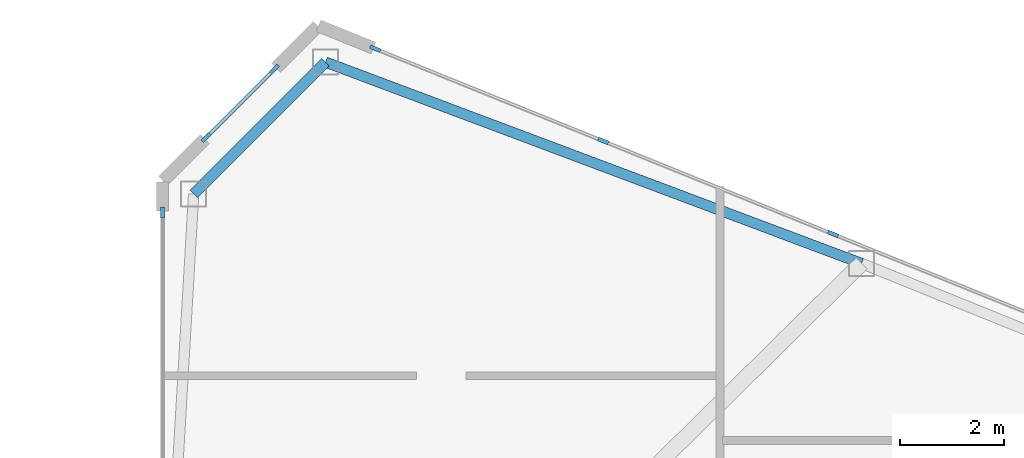
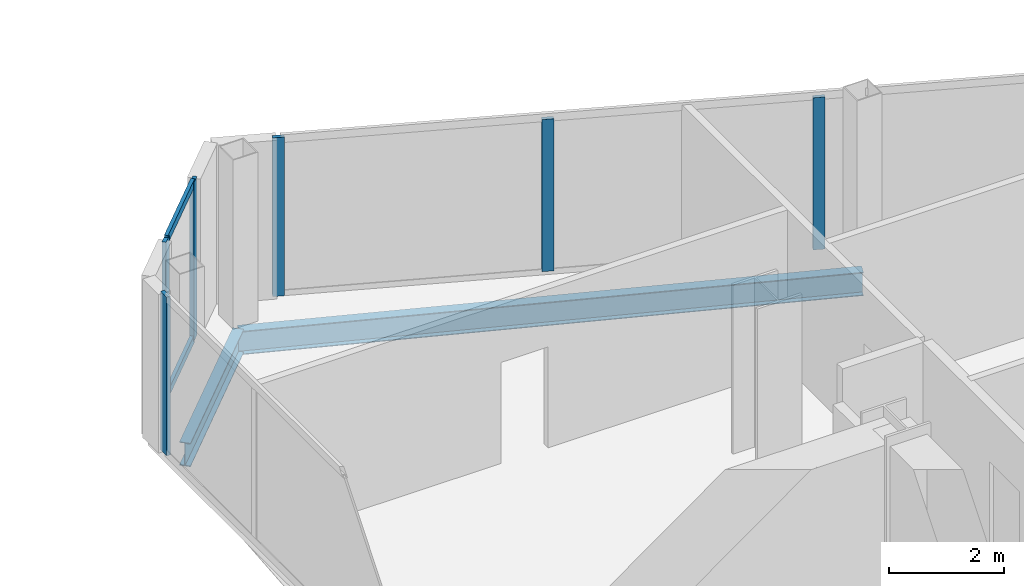
# One storey, part 13 of 25: 8 members, 2 beams, 3 elements without a shape of their own.
"""IFC4 building model written with IfcOpenShell, lengths in metres."""

from ifc_helpers import new_model, si_unit, direction, frame, origin, origin_2d, place, context, subcontext, project, spatial, rectangle, i_section, extrude, source, transform, mapped, material, layer, layer_set, material_profile, profile_set, type_object, type_shapes, element, aggregate, save


model = new_model("IFC4")

# Units and contexts
model_context = context("Model", 3, precision=1e-05, world=origin(), true_north=direction((0.0, 1.0)))
body_context = subcontext(model_context, "Body", "Model", "MODEL_VIEW")
ifc_project = project(units=[si_unit("LENGTHUNIT", "METRE"), si_unit("AREAUNIT", "SQUARE_METRE"), si_unit("VOLUMEUNIT", "CUBIC_METRE"), si_unit("PLANEANGLEUNIT", "RADIAN"), si_unit("MASSUNIT", "GRAM", prefix="KILO")], contexts=[model_context])

# Site, building, storey
site_placement = place(None, origin())
site = spatial("IfcSite", under=ifc_project, at=site_placement, CompositionType="ELEMENT")
building_placement = place(site_placement, origin())
building = spatial("IfcBuilding", under=site, at=building_placement, Name="Seokmaru Belvedere", CompositionType="ELEMENT")
storey_placement = place(building_placement, frame((0.0, 0.0, 54.89990234375)))
storey = spatial("IfcBuildingStorey", under=building, at=storey_placement, Name="L14", CompositionType="ELEMENT", Elevation=54.89990234375)

# Beams
ifc_material_1 = material(Name="Steel SM355 (355 MPa)", Category="steel")
ifc_material_profile_1 = material_profile(ifc_material_1, i_section(OverallWidth=0.199951171875, OverallDepth=0.5, WebThickness=0.010009765625, FlangeThickness=0.01611328125, at=origin_2d()), Name="H-500x200x10x16")
ifc_profile_set_1 = profile_set([ifc_material_profile_1], Name="Steel SM355 (355 MPa)")
beam_type = type_object("IfcBeamType", Name="Perimeter Spandrel Beam H-500", PredefinedType="SPANDREL", material=ifc_profile_set_1)
shared_shape_1 = source(origin(), body_context, "Body", "SweptSolid", [
    extrude(i_section(OverallWidth=0.199951171875, OverallDepth=0.5, WebThickness=0.010009765625, FlangeThickness=0.01611328125, at=origin_2d()), origin(), (0.0, 0.0, 1.0), 11.03857421875),
])
beam_1_placement = place(storey_placement, frame((30.643310546875, 26.294677734375, -0.469970703125), z_axis=(0.936169110734, -0.351549990907, 0.0), x_axis=(0.351549990907, 0.936169110734, 0.0)))
element("IfcBeam", 1, at=beam_1_placement, inside=storey, type_object=beam_type, Name="L14 E Faceted Flank Spandrel N-1", PredefinedType="SPANDREL", context=body_context, shape_type="MappedRepresentation", body=[
    mapped(shared_shape_1, transform((0.0, 0.0, 0.0), scale=1.0)),
])
shared_shape_2 = source(origin(), body_context, "Body", "SweptSolid", [
    extrude(i_section(OverallWidth=0.199951171875, OverallDepth=0.5, WebThickness=0.010009765625, FlangeThickness=0.01611328125, at=origin_2d()), origin(), (0.0, 0.0, 1.0), 3.5966796875),
])
type_shapes(beam_type, [shared_shape_1, shared_shape_2])
beam_2_placement = place(storey_placement, frame((30.643310546875, 26.294677734375, -0.469970703125), z_axis=(-0.707106781187, -0.707106781187, 0.0), x_axis=(0.707106781187, -0.707106781187, 0.0)))
element("IfcBeam", 2, at=beam_2_placement, inside=storey, type_object=beam_type, Name="L14 E Shoulder Chamfer Spandrel N", PredefinedType="SPANDREL", context=body_context, shape_type="MappedRepresentation", body=[
    mapped(shared_shape_2, transform((0.0, 0.0, 0.0), scale=1.0)),
])

# Curtain wall, member
ifc_material_2 = material(Name="Bronze Triple Insulating Glass", Category="glass")
ifc_layer = layer(ifc_material_2, 0.2099609375)
ifc_layer_set = layer_set([ifc_layer], Name="Bronze Triple Insulating Glass")
curtain_wall_type = type_object("IfcCurtainWallType", Name="Low-Rise Faceted Crystal Curtain Wall System CW-2", PredefinedType="NOTDEFINED", material=ifc_layer_set)
curtain_wall_1_placement = place(storey_placement, origin())
curtain_wall_1 = element("IfcCurtainWall", 3, at=curtain_wall_1_placement, inside=storey, type_object=curtain_wall_type, Name="L14 Curtain Wall EF3", PredefinedType="NOTDEFINED")
ifc_material_3 = material(Name="Anodised Bronze Aluminium", Category="aluminium")
ifc_material_profile_2 = material_profile(ifc_material_3, rectangle(XDim=0.074951171875, YDim=0.2099609375, at=origin_2d()), Name="CW-M-75x210")
ifc_profile_set_2 = profile_set([ifc_material_profile_2], Name="Anodised Bronze Aluminium")
member_type_1 = type_object("IfcMemberType", Name="Bronze Unitised Mullion 75x210", PredefinedType="MULLION", material=ifc_profile_set_2)
shared_shape_3 = source(origin(), body_context, "Body", "SweptSolid", [
    extrude(rectangle(XDim=0.074951171875, YDim=0.2099609375, at=origin_2d()), origin(), (0.0, 0.0, 1.0), 3.380126953125),
])
member_1_placement = place(storey_placement, frame((31.600830078125, 26.554443359375, 0.0), z_axis=(0.0, 0.0, 1.0), x_axis=(-0.375192321888, -0.926946989637, 0.0)))
member_1 = element("IfcMember", 4, at=member_1_placement, type_object=member_type_1, Name="CW:L14:EF3 Mullion 10", PredefinedType="MULLION", context=body_context, shape_type="MappedRepresentation", body=[
    mapped(shared_shape_3, transform((0.0, 0.0, 0.0), scale=1.0)),
])

# Curtain wall, members
curtain_wall_2_placement = place(storey_placement, origin())
curtain_wall_2 = element("IfcCurtainWall", 5, at=curtain_wall_2_placement, inside=storey, type_object=curtain_wall_type, Name="L14 Curtain Wall EF4", PredefinedType="NOTDEFINED")
member_2_placement = place(storey_placement, frame((29.660400390625, 26.160400390625, 0.0), z_axis=(0.0, 0.0, 1.0), x_axis=(0.707106781187, -0.707106781187, 0.0)))
member_2 = element("IfcMember", 6, at=member_2_placement, type_object=member_type_1, Name="CW:L14:EF4 Mullion 1", PredefinedType="MULLION", context=body_context, shape_type="MappedRepresentation", body=[
    mapped(shared_shape_3, transform((0.0, 0.0, 0.0), scale=1.0)),
])
member_3_placement = place(storey_placement, frame((28.339599609375, 24.839599609375, 0.0), z_axis=(0.0, 0.0, 1.0), x_axis=(0.707106781187, -0.707106781187, 0.0)))
member_3 = element("IfcMember", 7, at=member_3_placement, type_object=member_type_1, Name="CW:L14:EF4 Mullion 2", PredefinedType="MULLION", context=body_context, shape_type="MappedRepresentation", body=[
    mapped(shared_shape_3, transform((0.0, 0.0, 0.0), scale=1.0)),
])

# Curtain wall, member
curtain_wall_3_placement = place(storey_placement, origin())
curtain_wall_3 = element("IfcCurtainWall", 8, at=curtain_wall_3_placement, inside=storey, type_object=curtain_wall_type, Name="L14 Curtain Wall ESP_2", PredefinedType="NOTDEFINED")
member_4_placement = place(storey_placement, frame((27.5, 23.392578125, 0.0), z_axis=(0.0, 0.0, 1.0), x_axis=(1.0, 0.0, 0.0)))
member_4 = element("IfcMember", 9, at=member_4_placement, type_object=member_type_1, Name="CW:L14:ESP_2 Mullion 1", PredefinedType="MULLION", context=body_context, shape_type="MappedRepresentation", body=[
    mapped(shared_shape_3, transform((0.0, 0.0, 0.0), scale=1.0)),
])
aggregate(curtain_wall_3, [member_4])

# Member
ifc_material_profile_3 = material_profile(ifc_material_3, rectangle(XDim=0.070068359375, YDim=0.1650390625, at=origin_2d()), Name="CW-T-70x165")
ifc_profile_set_3 = profile_set([ifc_material_profile_3], Name="Anodised Bronze Aluminium")
member_type_2 = type_object("IfcMemberType", Name="Bronze Unitised Transom 70x165", PredefinedType="USERDEFINED", material=ifc_profile_set_3)
shared_shape_4 = source(origin(), body_context, "Body", "SweptSolid", [
    extrude(rectangle(XDim=0.070068359375, YDim=0.1650390625, at=origin_2d()), origin(), (0.0, 0.0, 1.0), 1.792724609375),
])
type_shapes(member_type_2, [shared_shape_4])
member_5_placement = place(storey_placement, frame((29.6337890625, 26.1337890625, 0.03515625), z_axis=(-0.707106781187, -0.707106781187, 0.0), x_axis=(0.707106781187, -0.707106781187, 0.0)))
member_5 = element("IfcMember", 10, at=member_5_placement, type_object=member_type_2, Name="CW:L14:EF4 Continuous Transom 1", ObjectType="TRANSOM", PredefinedType="USERDEFINED", context=body_context, shape_type="MappedRepresentation", body=[
    mapped(shared_shape_4, transform((0.0, 0.0, 0.0), scale=1.0)),
])

member_6_placement = place(storey_placement, frame((29.6337890625, 26.1337890625, 3.34521484375), z_axis=(-0.707106781187, -0.707106781187, 0.0), x_axis=(0.707106781187, -0.707106781187, 0.0)))
member_6 = element("IfcMember", 11, at=member_6_placement, type_object=member_type_2, Name="CW:L14:EF4 Continuous Transom 2", ObjectType="TRANSOM", PredefinedType="USERDEFINED", context=body_context, shape_type="MappedRepresentation", body=[
    mapped(shared_shape_4, transform((0.0, 0.0, 0.0), scale=1.0)),
])

aggregate(curtain_wall_2, [member_2, member_3, member_5, member_6])

shared_shape_5 = source(origin(), body_context, "Body", "SweptSolid", [
    extrude(rectangle(XDim=0.074951171875, YDim=0.2099609375, at=origin_2d()), origin(), (0.0, 0.0, 1.0), 3.239990234375),
])
type_shapes(member_type_1, [shared_shape_3, shared_shape_5])
member_7_placement = place(storey_placement, frame((40.425537109375, 22.982421875, 0.070068359375), z_axis=(0.0, 0.0, 1.0), x_axis=(-0.375192321888, -0.926946989637, 0.0)))
member_7 = element("IfcMember", 12, at=member_7_placement, type_object=member_type_1, Name="CW:L14:EF3 Mullion 8", PredefinedType="MULLION", context=body_context, shape_type="MappedRepresentation", body=[
    mapped(shared_shape_5, transform((0.0, 0.0, 0.0), scale=1.0)),
])

member_8_placement = place(storey_placement, frame((35.995849609375, 24.775390625, 0.070068359375), z_axis=(0.0, 0.0, 1.0), x_axis=(-0.375192321888, -0.926946989637, 0.0)))
member_8 = element("IfcMember", 13, at=member_8_placement, type_object=member_type_1, Name="CW:L14:EF3 Mullion 9", PredefinedType="MULLION", context=body_context, shape_type="MappedRepresentation", body=[
    mapped(shared_shape_5, transform((0.0, 0.0, 0.0), scale=1.0)),
])

aggregate(curtain_wall_1, [member_7, member_8, member_1])

save(model, "model.ifc")
